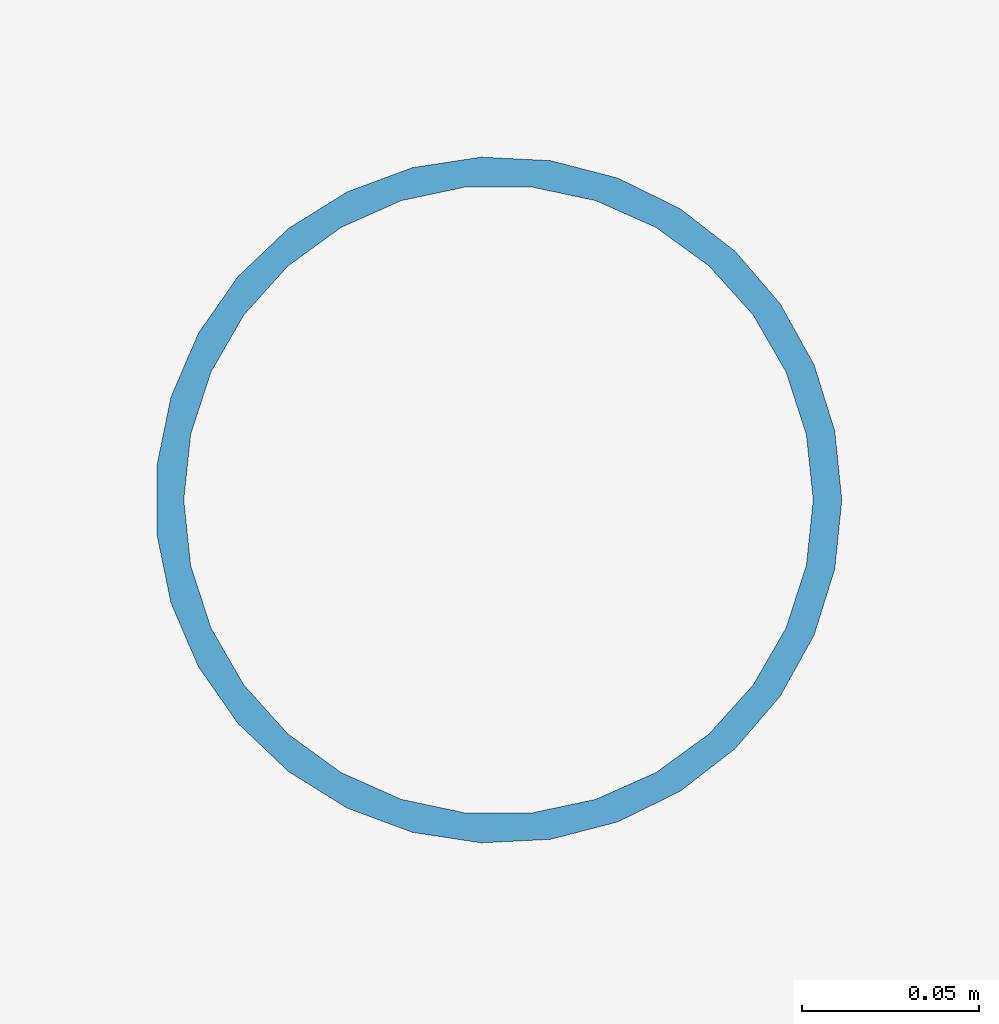
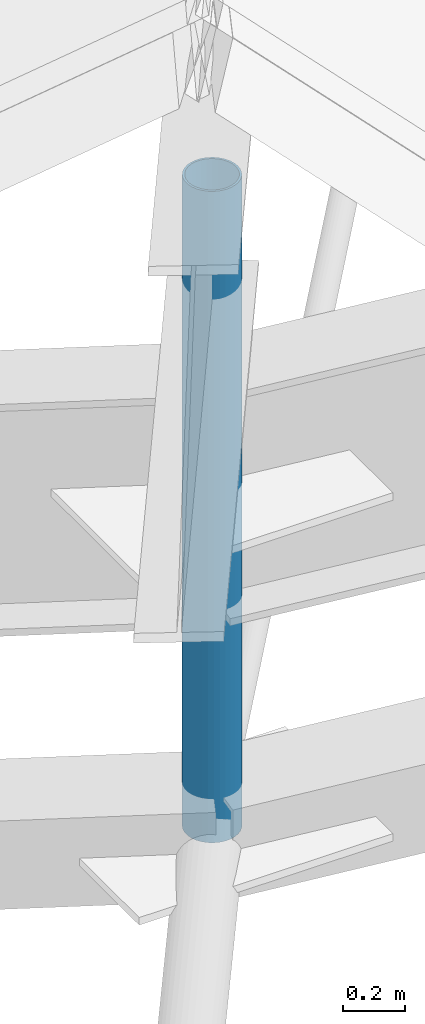
# One storey, part 2 of 41: 1 member.
"""IFC4 building model written with IfcOpenShell, lengths in metres."""

from ifc_helpers import new_model, si_unit, direction, frame, origin, origin_2d, place, context, subcontext, project, spatial, hollow_circle, extrude, material, material_profile, profile_set, type_object, element, save


model = new_model("IFC4")

# Units and contexts
model_context = context("Model", 3, precision=1e-05, world=origin(), true_north=direction((0.0, 1.0)))
body_context = subcontext(model_context, "Body", "Model", "MODEL_VIEW")
ifc_project = project(units=[si_unit("LENGTHUNIT", "METRE"), si_unit("AREAUNIT", "SQUARE_METRE"), si_unit("VOLUMEUNIT", "CUBIC_METRE"), si_unit("PLANEANGLEUNIT", "RADIAN"), si_unit("MASSUNIT", "GRAM", prefix="KILO")], contexts=[model_context])

# Site, building, storey
site_placement = place(None, origin())
site = spatial("IfcSite", under=ifc_project, at=site_placement, CompositionType="ELEMENT")
building_placement = place(site_placement, origin())
building = spatial("IfcBuilding", under=site, at=building_placement, Name="Luwafu Chhajja Arena", CompositionType="ELEMENT")
storey_placement = place(building_placement, frame((0.0, 0.0, 29.699951171875)))
storey = spatial("IfcBuildingStorey", under=building, at=storey_placement, Name="RF", CompositionType="ELEMENT", Elevation=29.699951171875)

# Member
ifc_material = material(Name="Steel S355", Category="steel")
ifc_material_profile = material_profile(ifc_material, hollow_circle(Radius=0.096923828125, WallThickness=0.008056640625, at=origin_2d()), Name="CHS 193.7x8")
ifc_profile_set = profile_set([ifc_material_profile], Name="Steel S355")
member_type = type_object("IfcMemberType", Name="Folded Pleat Tie Strut CHS 194", PredefinedType="BRACE", material=ifc_profile_set)
member_placement = place(storey_placement, frame((87.125732421875, 33.64990234375, 4.10009765625), z_axis=(0.0, 0.0, 1.0), x_axis=(1.0, 0.0, 0.0)))
element("IfcMember", 1, at=member_placement, inside=storey, type_object=member_type, Name="Roof Inner Ring Truss Web IRW-22", PredefinedType="BRACE", context=body_context, shape_type="SweptSolid", body=[
    extrude(hollow_circle(Radius=0.096923828125, WallThickness=0.008056640625, at=origin_2d()), origin(), (0.0, 0.0, 1.0), 2.579833984375),
])

save(model, "model.ifc")
